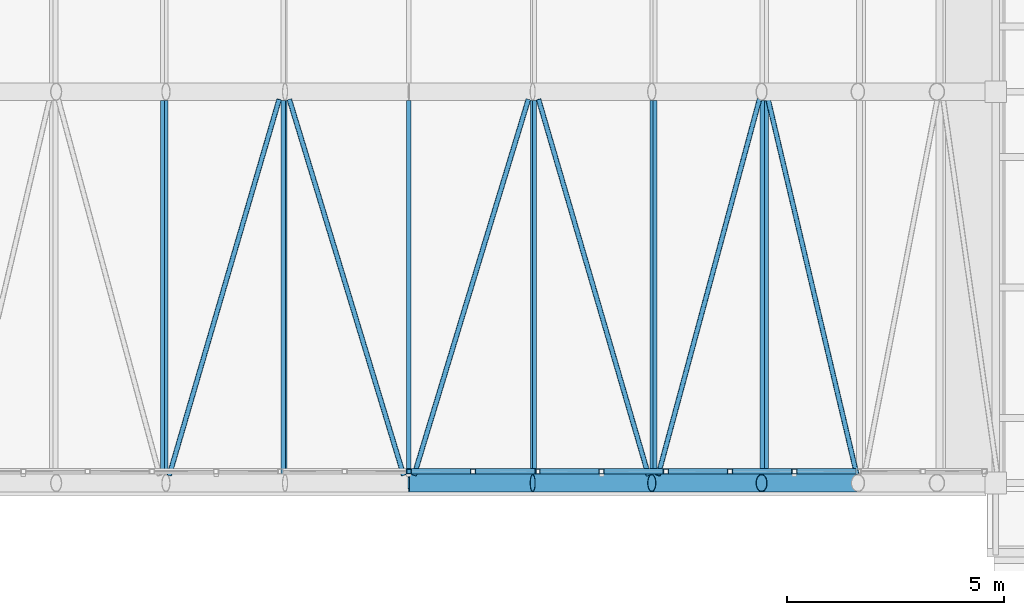
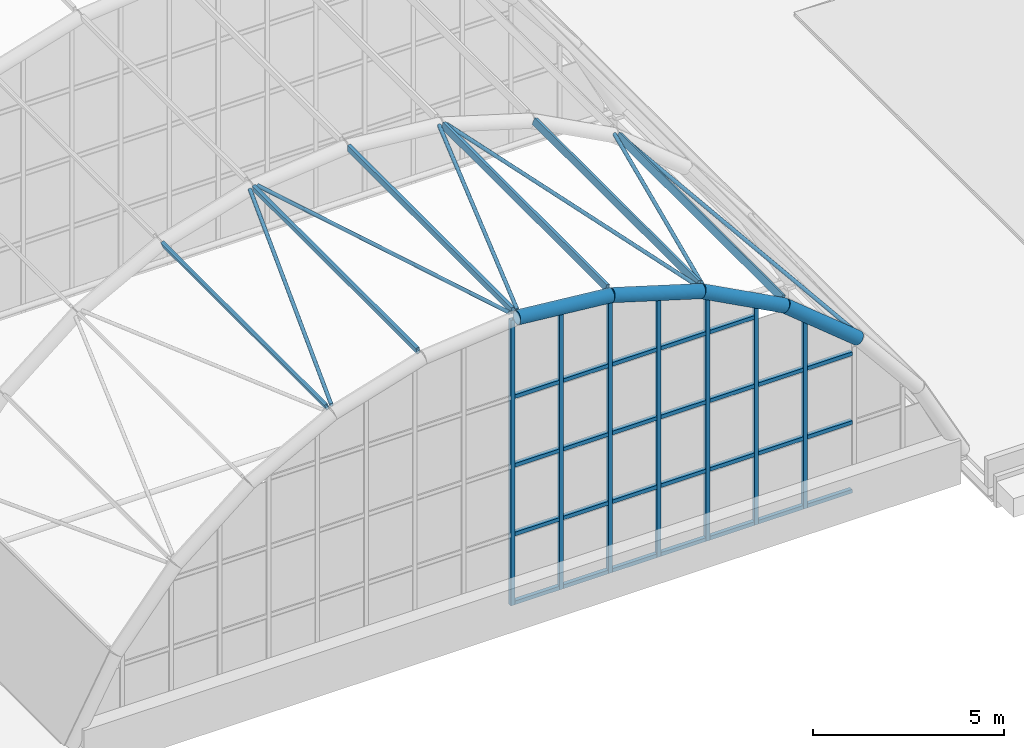
# One storey, part 22 of 121: 49 members, 1 element without a shape of its own.
"""IFC4 building model written with IfcOpenShell, lengths in metres."""

from ifc_helpers import new_model, si_unit, direction, frame, origin, origin_2d, place, context, subcontext, project, spatial, hollow_rectangle, hollow_circle, extrude, material, material_profile, profile_set, type_object, element, aggregate, save


model = new_model("IFC4")

# Units and contexts
model_context = context("Model", 3, precision=1e-05, world=origin(), true_north=direction((0.0, 1.0)))
body_context = subcontext(model_context, "Body", "Model", "MODEL_VIEW")
ifc_project = project(units=[si_unit("LENGTHUNIT", "METRE"), si_unit("AREAUNIT", "SQUARE_METRE"), si_unit("VOLUMEUNIT", "CUBIC_METRE"), si_unit("PLANEANGLEUNIT", "RADIAN"), si_unit("MASSUNIT", "GRAM", prefix="KILO")], contexts=[model_context])

# Site, building, storey
site_placement = place(None, origin())
site = spatial("IfcSite", under=ifc_project, at=site_placement, CompositionType="ELEMENT")
building_placement = place(site_placement, origin())
building = spatial("IfcBuilding", under=site, at=building_placement, Name="Golden Quay Civic Hall", CompositionType="ELEMENT")
storey_placement = place(building_placement, frame((0.0, 0.0, 18.60009765625)))
storey = spatial("IfcBuildingStorey", under=building, at=storey_placement, Name="L04", CompositionType="ELEMENT", Elevation=18.60009765625)

# Members
ifc_material_1 = material(Name="Steel S355", Category="steel")
ifc_material_profile_1 = material_profile(ifc_material_1, hollow_circle(Radius=0.203125, WallThickness=0.01611328125, at=origin_2d()), Name="CHS 406.4x16")
ifc_profile_set_1 = profile_set([ifc_material_profile_1], Name="Steel S355")
member_type_1 = type_object("IfcMemberType", Name="Steel arch rib CHS 406.4x16", PredefinedType="USERDEFINED", material=ifc_profile_set_1)
member_1_placement = place(storey_placement, frame((85.5, 0.0, 9.099853515625), z_axis=(0.995201360973, 0.0, -0.097848102266), x_axis=(0.0, 1.0, 0.0)))
element("IfcMember", 1, at=member_1_placement, inside=storey, type_object=member_type_1, Name="Arch rib 1 segment 7", ObjectType="ARCH RIB", PredefinedType="USERDEFINED", context=body_context, shape_type="SweptSolid", body=[
    extrude(hollow_circle(Radius=0.203125, WallThickness=0.01611328125, at=origin_2d()), origin(), (0.0, 0.0, 1.0), 2.86181640625),
])
member_2_placement = place(storey_placement, frame((88.34814453125, 0.0, 8.81982421875), z_axis=(0.957095401463, 0.0, -0.289773001673), x_axis=(0.0, 1.0, 0.0)))
element("IfcMember", 2, at=member_2_placement, inside=storey, type_object=member_type_1, Name="Arch rib 1 segment 8", ObjectType="ARCH RIB", PredefinedType="USERDEFINED", context=body_context, shape_type="SweptSolid", body=[
    extrude(hollow_circle(Radius=0.203125, WallThickness=0.01611328125, at=origin_2d()), origin(), (0.0, 0.0, 1.0), 2.862060546875),
])
for number, where, z_axis, x_axis, name in (
    (3, (91.08740234375, 0.0, 7.990478515625), (0.882326964097, 0.0, -0.470636939082), (0.0, 1.0, 0.0), "Arch rib 1 segment 9"),
    (4, (93.612548828125, 0.0, 6.6435546875), (0.773786223221, 0.0, -0.633446825514), (0.0, 1.0, 0.0), "Arch rib 1 segment 10"),
):
    element("IfcMember", number, at=place(storey_placement, frame(where, z_axis=z_axis, x_axis=x_axis)), inside=storey, type_object=member_type_1, Name=name, ObjectType="ARCH RIB", PredefinedType="USERDEFINED", context=body_context, shape_type="SweptSolid", body=[
        extrude(hollow_circle(Radius=0.203125, WallThickness=0.01611328125, at=origin_2d()), origin(), (0.0, 0.0, 1.0), 2.86181640625),
    ])
ifc_material_2 = material(Name="Steel S355", Category="steel")
ifc_material_profile_2 = material_profile(ifc_material_2, hollow_circle(Radius=0.05712890625, WallThickness=0.00634765625, at=origin_2d()), Name="CHS 114.3x6.3")
ifc_profile_set_2 = profile_set([ifc_material_profile_2], Name="Steel S355")
member_type_2 = type_object("IfcMemberType", Name="Steel bracing rod CHS 114.3x6.3", PredefinedType="BRACE", material=ifc_profile_set_2)
for number, where, z_axis, x_axis, name in (
    (5, (79.988037109375, 0.175048828125, 8.12109375), (0.279573306593, 0.95638527108, 0.084652108668), (-0.959830517224, 0.280580430903, 0.0), "Vault bracing south 5"),
    (6, (82.751220703125, 8.824951171875, 8.933349609375), (0.290695657407, -0.956388442933, 0.028586377676), (0.956779453821, 0.290814505735, 0.0), "Vault bracing south 6"),
    (7, (85.61962890625, 0.175048828125, 9.19189453125), (0.290695657407, 0.956388442933, -0.028586377676), (-0.956779453821, 0.290814505735, 0.0), "Vault bracing south 7"),
    (8, (88.4833984375, 8.824951171875, 8.88671875), (0.279573306593, -0.95638527108, -0.084652108668), (0.959830517224, 0.280580430903, 0.0), "Vault bracing south 8"),
    (9, (91.23291015625, 0.175048828125, 8.02978515625), (0.257735343347, 0.956384919854, -0.137478645126), (-0.965553106332, 0.260206069976, 0.0), "Vault bracing south 9"),
    (10, (93.762939453125, 8.824951171875, 6.65380859375), (0.226043817582, -0.956380756741, -0.185040645991), (0.973186848688, 0.230015994099, 0.0), "Vault bracing south 10"),
):
    element("IfcMember", number, at=place(storey_placement, frame(where, z_axis=z_axis, x_axis=x_axis)), inside=storey, type_object=member_type_2, Name=name, PredefinedType="BRACE", context=body_context, shape_type="SweptSolid", body=[
        extrude(hollow_circle(Radius=0.05712890625, WallThickness=0.00634765625, at=origin_2d()), origin(), (0.0, 0.0, 1.0), 9.04443359375),
    ])

# Curtain wall, members
ifc_material_3 = material(Name="Glass and aluminium", Category="aluminium")
curtain_wall_type = type_object("IfcCurtainWallType", Name="Glazed curtain wall 1500 module", PredefinedType="NOTDEFINED", material=ifc_material_3)
curtain_wall_placement = place(storey_placement, origin())
curtain_wall = element("IfcCurtainWall", 11, at=curtain_wall_placement, inside=storey, type_object=curtain_wall_type, Name="Curtain wall tympanum south", PredefinedType="NOTDEFINED")
ifc_material_4 = material(Name="Steel S355", Category="steel")
ifc_material_profile_3 = material_profile(ifc_material_4, hollow_rectangle(XDim=0.1201171875, YDim=0.1201171875, WallThickness=0.008056640625, at=origin_2d()), Name="SHS 120x120x8")
ifc_profile_set_3 = profile_set([ifc_material_profile_3], Name="Steel S355")
member_type_3 = type_object("IfcMemberType", Name="Steel mullion SHS 120x120x8", PredefinedType="MULLION", material=ifc_profile_set_3)
member_3_placement = place(storey_placement, frame((85.5, 0.27001953125, -0.25), z_axis=(0.0, 0.0, 1.0), x_axis=(0.0, 1.0, 0.0)))
member_3 = element("IfcMember", 12, at=member_3_placement, type_object=member_type_3, Name="Tympanum mullion 10", PredefinedType="MULLION", context=body_context, shape_type="SweptSolid", body=[
    extrude(hollow_rectangle(XDim=0.1201171875, YDim=0.1201171875, WallThickness=0.008056640625, at=origin_2d()), origin(), (0.0, 0.0, 1.0), 9.139892578125),
])
member_4_placement = place(storey_placement, frame((86.977783203125, 0.27001953125, -0.25), z_axis=(0.0, 0.0, 1.0), x_axis=(0.0, 1.0, 0.0)))
member_4 = element("IfcMember", 13, at=member_4_placement, type_object=member_type_3, Name="Tympanum mullion 11", PredefinedType="MULLION", context=body_context, shape_type="SweptSolid", body=[
    extrude(hollow_rectangle(XDim=0.1201171875, YDim=0.1201171875, WallThickness=0.008056640625, at=origin_2d()), origin(), (0.0, 0.0, 1.0), 8.99462890625),
])
member_5_placement = place(storey_placement, frame((88.45556640625, 0.27001953125, -0.25), z_axis=(0.0, 0.0, 1.0), x_axis=(0.0, 1.0, 0.0)))
member_5 = element("IfcMember", 14, at=member_5_placement, type_object=member_type_3, Name="Tympanum mullion 12", PredefinedType="MULLION", context=body_context, shape_type="SweptSolid", body=[
    extrude(hollow_rectangle(XDim=0.1201171875, YDim=0.1201171875, WallThickness=0.008056640625, at=origin_2d()), origin(), (0.0, 0.0, 1.0), 8.806884765625),
])
member_6_placement = place(storey_placement, frame((89.933349609375, 0.27001953125, -0.25), z_axis=(0.0, 0.0, 1.0), x_axis=(0.0, 1.0, 0.0)))
member_6 = element("IfcMember", 15, at=member_6_placement, type_object=member_type_3, Name="Tympanum mullion 13", PredefinedType="MULLION", context=body_context, shape_type="SweptSolid", body=[
    extrude(hollow_rectangle(XDim=0.1201171875, YDim=0.1201171875, WallThickness=0.008056640625, at=origin_2d()), origin(), (0.0, 0.0, 1.0), 8.359375),
])
member_7_placement = place(storey_placement, frame((91.4111328125, 0.27001953125, -0.25), z_axis=(0.0, 0.0, 1.0), x_axis=(0.0, 1.0, 0.0)))
member_7 = element("IfcMember", 16, at=member_7_placement, type_object=member_type_3, Name="Tympanum mullion 14", PredefinedType="MULLION", context=body_context, shape_type="SweptSolid", body=[
    extrude(hollow_rectangle(XDim=0.1201171875, YDim=0.1201171875, WallThickness=0.008056640625, at=origin_2d()), origin(), (0.0, 0.0, 1.0), 7.805419921875),
])
member_8_placement = place(storey_placement, frame((92.888916015625, 0.27001953125, -0.25), z_axis=(0.0, 0.0, 1.0), x_axis=(0.0, 1.0, 0.0)))
member_8 = element("IfcMember", 17, at=member_8_placement, type_object=member_type_3, Name="Tympanum mullion 15", PredefinedType="MULLION", context=body_context, shape_type="SweptSolid", body=[
    extrude(hollow_rectangle(XDim=0.1201171875, YDim=0.1201171875, WallThickness=0.008056640625, at=origin_2d()), origin(), (0.0, 0.0, 1.0), 7.017333984375),
])
member_9_placement = place(storey_placement, frame((94.36669921875, 0.27001953125, -0.25), z_axis=(0.0, 0.0, 1.0), x_axis=(0.0, 1.0, 0.0)))
member_9 = element("IfcMember", 18, at=member_9_placement, type_object=member_type_3, Name="Tympanum mullion 16", PredefinedType="MULLION", context=body_context, shape_type="SweptSolid", body=[
    extrude(hollow_rectangle(XDim=0.1201171875, YDim=0.1201171875, WallThickness=0.008056640625, at=origin_2d()), origin(), (0.0, 0.0, 1.0), 5.964599609375),
])

# Members
ifc_material_5 = material(Name="Steel S355", Category="steel")
ifc_material_profile_4 = material_profile(ifc_material_5, hollow_rectangle(XDim=0.10009765625, YDim=0.199951171875, WallThickness=0.008056640625, at=origin_2d()), Name="RHS 200x100x8")
ifc_profile_set_4 = profile_set([ifc_material_profile_4], Name="Steel S355")
member_type_4 = type_object("IfcMemberType", Name="Steel purlin RHS 200x100x8", PredefinedType="PURLIN", material=ifc_profile_set_4)
for number, where, z_axis, x_axis, name in (
    (19, (79.873291015625, 0.203125, 8.0859375), (0.0, 1.0, 0.0), (-0.924146170615, 0.0, -0.382039075668), "Purlin 1.5"),
    (20, (82.631591796875, 0.203125, 8.921142578125), (0.0, 1.0, 0.0), (-0.98085324351, 0.0, -0.194748336824), "Purlin 1.6"),
    (21, (85.5, 0.203125, 9.203125), (0.0, 1.0, 0.0), (-1.0, 0.0, 0.0), "Purlin 1.7"),
    (22, (88.368408203125, 0.203125, 8.921142578125), (0.0, 1.0, 0.0), (-0.98085324351, 0.0, 0.194748336824), "Purlin 1.8"),
    (23, (91.126708984375, 0.203125, 8.0859375), (0.0, 1.0, 0.0), (-0.924146170615, 0.0, 0.382039075668), "Purlin 1.9"),
    (24, (93.669677734375, 0.203125, 6.7294921875), (0.0, 1.0, 0.0), (-0.832050294338, 0.0, 0.554700196226), "Purlin 1.10"),
):
    element("IfcMember", number, at=place(storey_placement, frame(where, z_axis=z_axis, x_axis=x_axis)), inside=storey, type_object=member_type_4, Name=name, PredefinedType="PURLIN", context=body_context, shape_type="SweptSolid", body=[
        extrude(hollow_rectangle(XDim=0.10009765625, YDim=0.199951171875, WallThickness=0.008056640625, at=origin_2d()), origin(), (0.0, 0.0, 1.0), 8.59375),
    ])

# Member
ifc_material_6 = material(Name="Steel S355", Category="steel")
ifc_material_profile_5 = material_profile(ifc_material_6, hollow_rectangle(XDim=0.1201171875, YDim=0.1201171875, WallThickness=0.008056640625, at=origin_2d()), Name="SHS 120x120x8")
ifc_profile_set_5 = profile_set([ifc_material_profile_5], Name="Steel S355")
member_type_5 = type_object("IfcMemberType", Name="Steel transom SHS 120x120x8", PredefinedType="USERDEFINED", material=ifc_profile_set_5)
member_10_placement = place(storey_placement, frame((85.56005859375, 0.27001953125, -0.190185546875), z_axis=(1.0, 0.0, 0.0), x_axis=(0.0, 1.0, 0.0)))
member_10 = element("IfcMember", 25, at=member_10_placement, type_object=member_type_5, Name="Tympanum transom 10.1", ObjectType="TRANSOM", PredefinedType="USERDEFINED", context=body_context, shape_type="SweptSolid", body=[
    extrude(hollow_rectangle(XDim=0.1201171875, YDim=0.1201171875, WallThickness=0.008056640625, at=origin_2d()), origin(), (0.0, 0.0, 1.0), 1.357666015625),
])

member_11_placement = place(storey_placement, frame((85.56005859375, 0.27001953125, 2.010009765625), z_axis=(1.0, 0.0, 0.0), x_axis=(0.0, 1.0, 0.0)))
member_11 = element("IfcMember", 26, at=member_11_placement, type_object=member_type_5, Name="Tympanum transom 10.2", ObjectType="TRANSOM", PredefinedType="USERDEFINED", context=body_context, shape_type="SweptSolid", body=[
    extrude(hollow_rectangle(XDim=0.1201171875, YDim=0.1201171875, WallThickness=0.008056640625, at=origin_2d()), origin(), (0.0, 0.0, 1.0), 1.357666015625),
])

member_12_placement = place(storey_placement, frame((85.56005859375, 0.27001953125, 4.2099609375), z_axis=(1.0, 0.0, 0.0), x_axis=(0.0, 1.0, 0.0)))
member_12 = element("IfcMember", 27, at=member_12_placement, type_object=member_type_5, Name="Tympanum transom 10.3", ObjectType="TRANSOM", PredefinedType="USERDEFINED", context=body_context, shape_type="SweptSolid", body=[
    extrude(hollow_rectangle(XDim=0.1201171875, YDim=0.1201171875, WallThickness=0.008056640625, at=origin_2d()), origin(), (0.0, 0.0, 1.0), 1.357666015625),
])

member_13_placement = place(storey_placement, frame((85.56005859375, 0.27001953125, 6.409912109375), z_axis=(1.0, 0.0, 0.0), x_axis=(0.0, 1.0, 0.0)))
member_13 = element("IfcMember", 28, at=member_13_placement, type_object=member_type_5, Name="Tympanum transom 10.4", ObjectType="TRANSOM", PredefinedType="USERDEFINED", context=body_context, shape_type="SweptSolid", body=[
    extrude(hollow_rectangle(XDim=0.1201171875, YDim=0.1201171875, WallThickness=0.008056640625, at=origin_2d()), origin(), (0.0, 0.0, 1.0), 1.357666015625),
])

member_14_placement = place(storey_placement, frame((87.037841796875, 0.27001953125, -0.190185546875), z_axis=(1.0, 0.0, 0.0), x_axis=(0.0, 1.0, 0.0)))
member_14 = element("IfcMember", 29, at=member_14_placement, type_object=member_type_5, Name="Tympanum transom 11.1", ObjectType="TRANSOM", PredefinedType="USERDEFINED", context=body_context, shape_type="SweptSolid", body=[
    extrude(hollow_rectangle(XDim=0.1201171875, YDim=0.1201171875, WallThickness=0.008056640625, at=origin_2d()), origin(), (0.0, 0.0, 1.0), 1.357666015625),
])

member_15_placement = place(storey_placement, frame((87.037841796875, 0.27001953125, 2.010009765625), z_axis=(1.0, 0.0, 0.0), x_axis=(0.0, 1.0, 0.0)))
member_15 = element("IfcMember", 30, at=member_15_placement, type_object=member_type_5, Name="Tympanum transom 11.2", ObjectType="TRANSOM", PredefinedType="USERDEFINED", context=body_context, shape_type="SweptSolid", body=[
    extrude(hollow_rectangle(XDim=0.1201171875, YDim=0.1201171875, WallThickness=0.008056640625, at=origin_2d()), origin(), (0.0, 0.0, 1.0), 1.357666015625),
])

member_16_placement = place(storey_placement, frame((87.037841796875, 0.27001953125, 4.2099609375), z_axis=(1.0, 0.0, 0.0), x_axis=(0.0, 1.0, 0.0)))
member_16 = element("IfcMember", 31, at=member_16_placement, type_object=member_type_5, Name="Tympanum transom 11.3", ObjectType="TRANSOM", PredefinedType="USERDEFINED", context=body_context, shape_type="SweptSolid", body=[
    extrude(hollow_rectangle(XDim=0.1201171875, YDim=0.1201171875, WallThickness=0.008056640625, at=origin_2d()), origin(), (0.0, 0.0, 1.0), 1.357666015625),
])

member_17_placement = place(storey_placement, frame((87.037841796875, 0.27001953125, 6.409912109375), z_axis=(1.0, 0.0, 0.0), x_axis=(0.0, 1.0, 0.0)))
member_17 = element("IfcMember", 32, at=member_17_placement, type_object=member_type_5, Name="Tympanum transom 11.4", ObjectType="TRANSOM", PredefinedType="USERDEFINED", context=body_context, shape_type="SweptSolid", body=[
    extrude(hollow_rectangle(XDim=0.1201171875, YDim=0.1201171875, WallThickness=0.008056640625, at=origin_2d()), origin(), (0.0, 0.0, 1.0), 1.357666015625),
])

member_18_placement = place(storey_placement, frame((88.515625, 0.27001953125, -0.190185546875), z_axis=(1.0, 0.0, 0.0), x_axis=(0.0, 1.0, 0.0)))
member_18 = element("IfcMember", 33, at=member_18_placement, type_object=member_type_5, Name="Tympanum transom 12.1", ObjectType="TRANSOM", PredefinedType="USERDEFINED", context=body_context, shape_type="SweptSolid", body=[
    extrude(hollow_rectangle(XDim=0.1201171875, YDim=0.1201171875, WallThickness=0.008056640625, at=origin_2d()), origin(), (0.0, 0.0, 1.0), 1.357666015625),
])

member_19_placement = place(storey_placement, frame((88.515625, 0.27001953125, 2.010009765625), z_axis=(1.0, 0.0, 0.0), x_axis=(0.0, 1.0, 0.0)))
member_19 = element("IfcMember", 34, at=member_19_placement, type_object=member_type_5, Name="Tympanum transom 12.2", ObjectType="TRANSOM", PredefinedType="USERDEFINED", context=body_context, shape_type="SweptSolid", body=[
    extrude(hollow_rectangle(XDim=0.1201171875, YDim=0.1201171875, WallThickness=0.008056640625, at=origin_2d()), origin(), (0.0, 0.0, 1.0), 1.357666015625),
])

member_20_placement = place(storey_placement, frame((88.515625, 0.27001953125, 4.2099609375), z_axis=(1.0, 0.0, 0.0), x_axis=(0.0, 1.0, 0.0)))
member_20 = element("IfcMember", 35, at=member_20_placement, type_object=member_type_5, Name="Tympanum transom 12.3", ObjectType="TRANSOM", PredefinedType="USERDEFINED", context=body_context, shape_type="SweptSolid", body=[
    extrude(hollow_rectangle(XDim=0.1201171875, YDim=0.1201171875, WallThickness=0.008056640625, at=origin_2d()), origin(), (0.0, 0.0, 1.0), 1.357666015625),
])

member_21_placement = place(storey_placement, frame((88.515625, 0.27001953125, 6.409912109375), z_axis=(1.0, 0.0, 0.0), x_axis=(0.0, 1.0, 0.0)))
member_21 = element("IfcMember", 36, at=member_21_placement, type_object=member_type_5, Name="Tympanum transom 12.4", ObjectType="TRANSOM", PredefinedType="USERDEFINED", context=body_context, shape_type="SweptSolid", body=[
    extrude(hollow_rectangle(XDim=0.1201171875, YDim=0.1201171875, WallThickness=0.008056640625, at=origin_2d()), origin(), (0.0, 0.0, 1.0), 1.357666015625),
])

member_22_placement = place(storey_placement, frame((89.993408203125, 0.27001953125, -0.190185546875), z_axis=(1.0, 0.0, 0.0), x_axis=(0.0, 1.0, 0.0)))
member_22 = element("IfcMember", 37, at=member_22_placement, type_object=member_type_5, Name="Tympanum transom 13.1", ObjectType="TRANSOM", PredefinedType="USERDEFINED", context=body_context, shape_type="SweptSolid", body=[
    extrude(hollow_rectangle(XDim=0.1201171875, YDim=0.1201171875, WallThickness=0.008056640625, at=origin_2d()), origin(), (0.0, 0.0, 1.0), 1.357666015625),
])

member_23_placement = place(storey_placement, frame((89.993408203125, 0.27001953125, 2.010009765625), z_axis=(1.0, 0.0, 0.0), x_axis=(0.0, 1.0, 0.0)))
member_23 = element("IfcMember", 38, at=member_23_placement, type_object=member_type_5, Name="Tympanum transom 13.2", ObjectType="TRANSOM", PredefinedType="USERDEFINED", context=body_context, shape_type="SweptSolid", body=[
    extrude(hollow_rectangle(XDim=0.1201171875, YDim=0.1201171875, WallThickness=0.008056640625, at=origin_2d()), origin(), (0.0, 0.0, 1.0), 1.357666015625),
])

member_24_placement = place(storey_placement, frame((89.993408203125, 0.27001953125, 4.2099609375), z_axis=(1.0, 0.0, 0.0), x_axis=(0.0, 1.0, 0.0)))
member_24 = element("IfcMember", 39, at=member_24_placement, type_object=member_type_5, Name="Tympanum transom 13.3", ObjectType="TRANSOM", PredefinedType="USERDEFINED", context=body_context, shape_type="SweptSolid", body=[
    extrude(hollow_rectangle(XDim=0.1201171875, YDim=0.1201171875, WallThickness=0.008056640625, at=origin_2d()), origin(), (0.0, 0.0, 1.0), 1.357666015625),
])

member_25_placement = place(storey_placement, frame((89.993408203125, 0.27001953125, 6.409912109375), z_axis=(1.0, 0.0, 0.0), x_axis=(0.0, 1.0, 0.0)))
member_25 = element("IfcMember", 40, at=member_25_placement, type_object=member_type_5, Name="Tympanum transom 13.4", ObjectType="TRANSOM", PredefinedType="USERDEFINED", context=body_context, shape_type="SweptSolid", body=[
    extrude(hollow_rectangle(XDim=0.1201171875, YDim=0.1201171875, WallThickness=0.008056640625, at=origin_2d()), origin(), (0.0, 0.0, 1.0), 1.357666015625),
])

member_26_placement = place(storey_placement, frame((91.47119140625, 0.27001953125, -0.190185546875), z_axis=(1.0, 0.0, 0.0), x_axis=(0.0, 1.0, 0.0)))
member_26 = element("IfcMember", 41, at=member_26_placement, type_object=member_type_5, Name="Tympanum transom 14.1", ObjectType="TRANSOM", PredefinedType="USERDEFINED", context=body_context, shape_type="SweptSolid", body=[
    extrude(hollow_rectangle(XDim=0.1201171875, YDim=0.1201171875, WallThickness=0.008056640625, at=origin_2d()), origin(), (0.0, 0.0, 1.0), 1.357666015625),
])

member_27_placement = place(storey_placement, frame((91.47119140625, 0.27001953125, 2.010009765625), z_axis=(1.0, 0.0, 0.0), x_axis=(0.0, 1.0, 0.0)))
member_27 = element("IfcMember", 42, at=member_27_placement, type_object=member_type_5, Name="Tympanum transom 14.2", ObjectType="TRANSOM", PredefinedType="USERDEFINED", context=body_context, shape_type="SweptSolid", body=[
    extrude(hollow_rectangle(XDim=0.1201171875, YDim=0.1201171875, WallThickness=0.008056640625, at=origin_2d()), origin(), (0.0, 0.0, 1.0), 1.357666015625),
])

member_28_placement = place(storey_placement, frame((91.47119140625, 0.27001953125, 4.2099609375), z_axis=(1.0, 0.0, 0.0), x_axis=(0.0, 1.0, 0.0)))
member_28 = element("IfcMember", 43, at=member_28_placement, type_object=member_type_5, Name="Tympanum transom 14.3", ObjectType="TRANSOM", PredefinedType="USERDEFINED", context=body_context, shape_type="SweptSolid", body=[
    extrude(hollow_rectangle(XDim=0.1201171875, YDim=0.1201171875, WallThickness=0.008056640625, at=origin_2d()), origin(), (0.0, 0.0, 1.0), 1.357666015625),
])

member_29_placement = place(storey_placement, frame((91.47119140625, 0.27001953125, 6.409912109375), z_axis=(1.0, 0.0, 0.0), x_axis=(0.0, 1.0, 0.0)))
member_29 = element("IfcMember", 44, at=member_29_placement, type_object=member_type_5, Name="Tympanum transom 14.4", ObjectType="TRANSOM", PredefinedType="USERDEFINED", context=body_context, shape_type="SweptSolid", body=[
    extrude(hollow_rectangle(XDim=0.1201171875, YDim=0.1201171875, WallThickness=0.008056640625, at=origin_2d()), origin(), (0.0, 0.0, 1.0), 1.357666015625),
])

member_30_placement = place(storey_placement, frame((92.948974609375, 0.27001953125, -0.190185546875), z_axis=(1.0, 0.0, 0.0), x_axis=(0.0, 1.0, 0.0)))
member_30 = element("IfcMember", 45, at=member_30_placement, type_object=member_type_5, Name="Tympanum transom 15.1", ObjectType="TRANSOM", PredefinedType="USERDEFINED", context=body_context, shape_type="SweptSolid", body=[
    extrude(hollow_rectangle(XDim=0.1201171875, YDim=0.1201171875, WallThickness=0.008056640625, at=origin_2d()), origin(), (0.0, 0.0, 1.0), 1.357666015625),
])

member_31_placement = place(storey_placement, frame((92.948974609375, 0.27001953125, 2.010009765625), z_axis=(1.0, 0.0, 0.0), x_axis=(0.0, 1.0, 0.0)))
member_31 = element("IfcMember", 46, at=member_31_placement, type_object=member_type_5, Name="Tympanum transom 15.2", ObjectType="TRANSOM", PredefinedType="USERDEFINED", context=body_context, shape_type="SweptSolid", body=[
    extrude(hollow_rectangle(XDim=0.1201171875, YDim=0.1201171875, WallThickness=0.008056640625, at=origin_2d()), origin(), (0.0, 0.0, 1.0), 1.357666015625),
])

member_32_placement = place(storey_placement, frame((92.948974609375, 0.27001953125, 4.2099609375), z_axis=(1.0, 0.0, 0.0), x_axis=(0.0, 1.0, 0.0)))
member_32 = element("IfcMember", 47, at=member_32_placement, type_object=member_type_5, Name="Tympanum transom 15.3", ObjectType="TRANSOM", PredefinedType="USERDEFINED", context=body_context, shape_type="SweptSolid", body=[
    extrude(hollow_rectangle(XDim=0.1201171875, YDim=0.1201171875, WallThickness=0.008056640625, at=origin_2d()), origin(), (0.0, 0.0, 1.0), 1.357666015625),
])

member_33_placement = place(storey_placement, frame((94.4267578125, 0.27001953125, -0.190185546875), z_axis=(1.0, 0.0, 0.0), x_axis=(0.0, 1.0, 0.0)))
member_33 = element("IfcMember", 48, at=member_33_placement, type_object=member_type_5, Name="Tympanum transom 16.1", ObjectType="TRANSOM", PredefinedType="USERDEFINED", context=body_context, shape_type="SweptSolid", body=[
    extrude(hollow_rectangle(XDim=0.1201171875, YDim=0.1201171875, WallThickness=0.008056640625, at=origin_2d()), origin(), (0.0, 0.0, 1.0), 1.357666015625),
])

member_34_placement = place(storey_placement, frame((94.4267578125, 0.27001953125, 2.010009765625), z_axis=(1.0, 0.0, 0.0), x_axis=(0.0, 1.0, 0.0)))
member_34 = element("IfcMember", 49, at=member_34_placement, type_object=member_type_5, Name="Tympanum transom 16.2", ObjectType="TRANSOM", PredefinedType="USERDEFINED", context=body_context, shape_type="SweptSolid", body=[
    extrude(hollow_rectangle(XDim=0.1201171875, YDim=0.1201171875, WallThickness=0.008056640625, at=origin_2d()), origin(), (0.0, 0.0, 1.0), 1.357666015625),
])

member_35_placement = place(storey_placement, frame((94.4267578125, 0.27001953125, 4.2099609375), z_axis=(1.0, 0.0, 0.0), x_axis=(0.0, 1.0, 0.0)))
member_35 = element("IfcMember", 50, at=member_35_placement, type_object=member_type_5, Name="Tympanum transom 16.3", ObjectType="TRANSOM", PredefinedType="USERDEFINED", context=body_context, shape_type="SweptSolid", body=[
    extrude(hollow_rectangle(XDim=0.1201171875, YDim=0.1201171875, WallThickness=0.008056640625, at=origin_2d()), origin(), (0.0, 0.0, 1.0), 1.357666015625),
])

aggregate(curtain_wall, [member_3, member_4, member_5, member_6, member_7, member_8, member_9, member_10, member_11, member_12, member_13, member_14, member_15, member_16, member_17, member_18, member_19, member_20, member_21, member_22, member_23, member_24, member_25, member_26, member_27, member_28, member_29, member_30, member_31, member_32, member_33, member_34, member_35])

save(model, "model.ifc")
